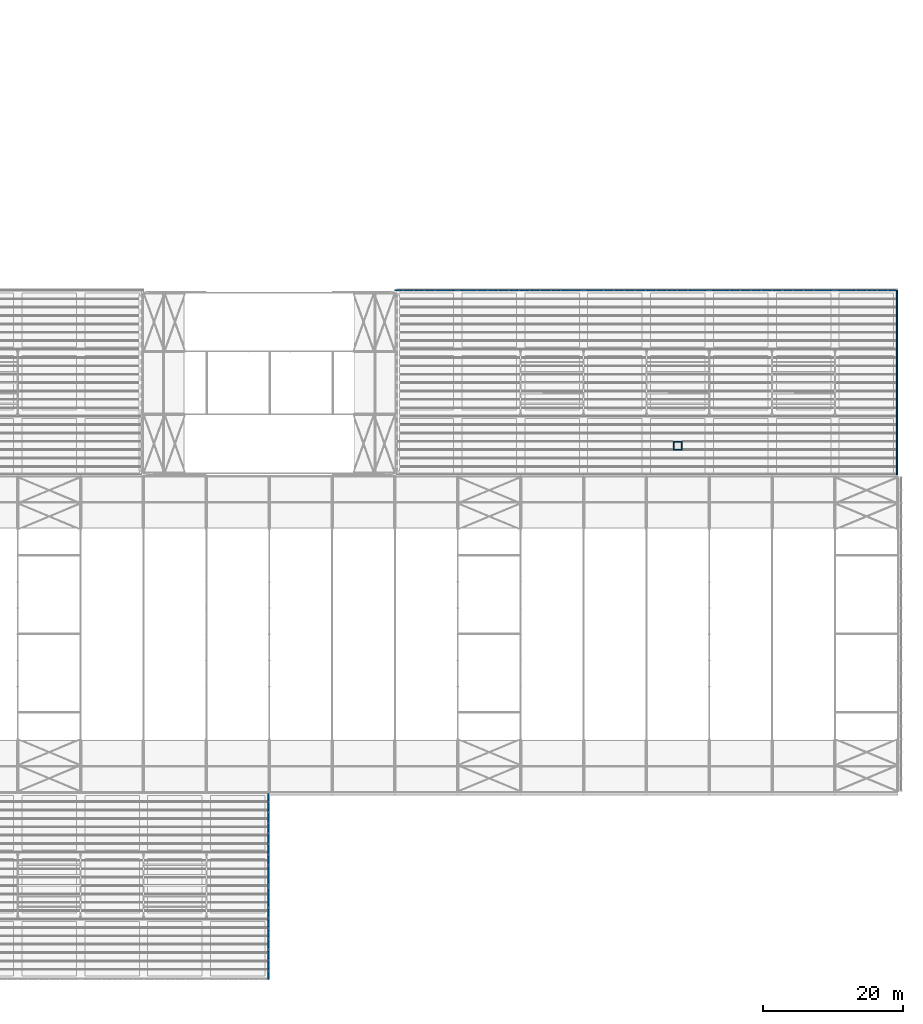
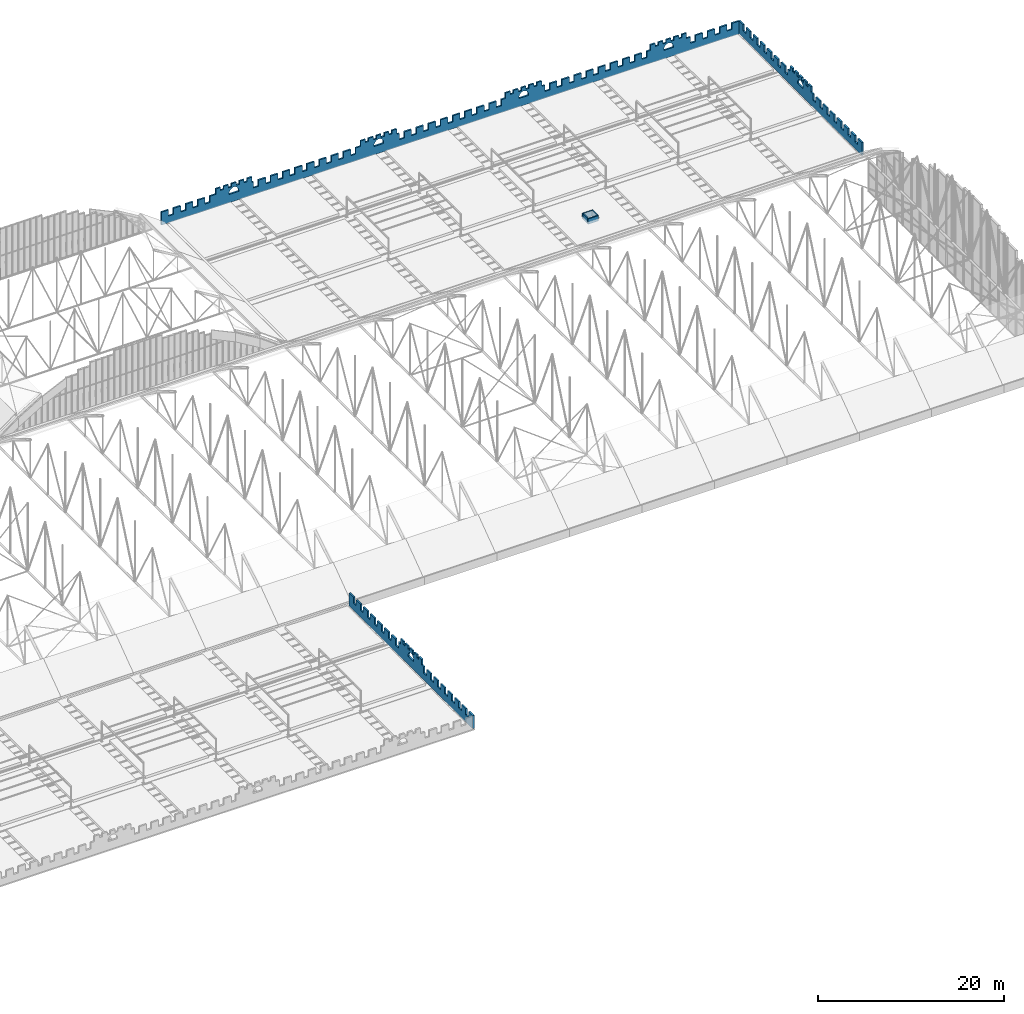
# One storey, part 112 of 153: 7 walls.
"""IFC4 building model written with IfcOpenShell, lengths in metres."""

import ifcopenshell
import ifcopenshell.guid

model = None  # the IFC model being written
_history = None  # IfcOwnerHistory: only IFC2X3 demands one
_inside = {}  # id of a spatial element -> (the spatial element, [elements in it])
_under = {}  # id of a project, library or spatial element -> (it, [spatial elements below it])
_declared = {}  # id of a project -> (the project, [libraries it declares])
_typed = {}  # id of a type object -> (the type object, [elements of that type])
_made_of = {}  # id of a material, layer set ... -> (it, [elements and type objects made of it])


def new_model(schema):
    """Start an empty IFC model of exactly this schema.

    Asked for "IFC4X3", IfcOpenShell would pick the latest addendum, in which some entities
    have other attributes; the version numbers below select the first issue.
    IFC2X3 requires an IfcOwnerHistory on every rooted entity: one is made here for all.
    """
    global model, _history
    if schema == "IFC4X3":
        model = ifcopenshell.file(schema_version=(4, 3, 0, 0))
    else:
        model = ifcopenshell.file(schema=schema)
    _inside.clear()
    _under.clear()
    _declared.clear()
    _typed.clear()
    _made_of.clear()
    _history = None
    if model.schema == "IFC2X3":
        org = make("IfcOrganization", Name="unknown")
        user = make(
            "IfcPersonAndOrganization",
            ThePerson=make("IfcPerson", FamilyName="unknown"),
            TheOrganization=org,
        )
        app = make(
            "IfcApplication",
            ApplicationDeveloper=org,
            Version="unknown",
            ApplicationFullName="unknown",
            ApplicationIdentifier="unknown",
        )
        _history = make(
            "IfcOwnerHistory",
            OwningUser=user,
            OwningApplication=app,
            ChangeAction="ADDED",
            CreationDate=0,
        )
    return model


def make(cls, **values):
    """One entity of the class cls with the attributes given. An attribute that is None is left unset."""
    return model.create_entity(
        cls, **{name: value for name, value in values.items() if value is not None}
    )


def rooted(cls, **values):
    """An entity with a GlobalId (a new one), such as an element, a storey or a relation."""
    return make(cls, GlobalId=ifcopenshell.guid.new(), OwnerHistory=_history, **values)


def si_unit(unit_type, name, prefix=None):
    """IfcSIUnit, for example si_unit("LENGTHUNIT", "METRE", prefix="MILLI")."""
    return make("IfcSIUnit", UnitType=unit_type, Prefix=prefix, Name=name)


def assignment(units):
    """IfcUnitAssignment: the units of a project."""
    return None if units is None else make("IfcUnitAssignment", Units=units)


def point(xyz):
    """IfcCartesianPoint."""
    return None if xyz is None else make("IfcCartesianPoint", Coordinates=xyz)


def direction(xyz):
    """IfcDirection."""
    return None if xyz is None else make("IfcDirection", DirectionRatios=xyz)


def frame(location, z_axis=None, x_axis=None):
    """IfcAxis2Placement3D, a coordinate frame: its origin and axes. An axis left out is left unset."""
    return make(
        "IfcAxis2Placement3D",
        Location=point(location),
        Axis=direction(z_axis),
        RefDirection=direction(x_axis),
    )


def frame_2d(location, x_axis=None):
    """IfcAxis2Placement2D, a coordinate frame in the plane: its origin and x axis."""
    return make(
        "IfcAxis2Placement2D", Location=point(location), RefDirection=direction(x_axis)
    )


def origin():
    """The frame at (0, 0, 0) with its axes left unset."""
    return frame((0.0, 0.0, 0.0))


def place(relative_to, where):
    """IfcLocalPlacement: puts the frame where relative to a parent placement (None: the world)."""
    return make(
        "IfcLocalPlacement", PlacementRelTo=relative_to, RelativePlacement=where
    )


def context(
    kind, dimensions, precision=None, world=None, true_north=None, identifier=None
):
    """IfcGeometricRepresentationContext, for example the 3D "Model" context."""
    return make(
        "IfcGeometricRepresentationContext",
        ContextIdentifier=identifier,
        ContextType=kind,
        CoordinateSpaceDimension=dimensions,
        Precision=precision,
        WorldCoordinateSystem=world,
        TrueNorth=true_north,
    )


def subcontext(parent, identifier, kind, view, scale=None):
    """IfcGeometricRepresentationSubContext, for example "Body" below "Model"."""
    return make(
        "IfcGeometricRepresentationSubContext",
        ContextIdentifier=identifier,
        ContextType=kind,
        ParentContext=parent,
        TargetScale=scale,
        TargetView=view,
    )


def project(units=None, contexts=None):
    """IfcProject with its units and contexts."""
    return rooted(
        "IfcProject",
        Name="project",
        RepresentationContexts=contexts,
        UnitsInContext=assignment(units),
    )


def spatial(cls, under=None, at=None, **own):
    """A site, building, storey or space (cls), placed at a placement, below another one or the project."""
    s = rooted(cls, ObjectPlacement=at, **own)
    if under is not None:
        _under.setdefault(under.id(), (under, []))[1].append(s)
    return s


def polyline(points):
    """IfcPolyline through the points."""
    return make("IfcPolyline", Points=[point(p) for p in points])


def profile(cls, at=None, kind="AREA", **sizes):
    """A parametric profile (cls). Its sizes go by their IFC names, for example OverallWidth=200.0."""
    return make(cls, ProfileType=kind, Position=at, **sizes)


def rectangle(**sizes):
    """IfcRectangleProfileDef."""
    return profile("IfcRectangleProfileDef", **sizes)


def outline(outer, holes=None, kind="AREA"):
    """IfcArbitraryClosedProfileDef: a profile drawn as a closed curve; with holes, ...WithVoids."""
    if holes is None:
        return make("IfcArbitraryClosedProfileDef", ProfileType=kind, OuterCurve=outer)
    return make(
        "IfcArbitraryProfileDefWithVoids",
        ProfileType=kind,
        OuterCurve=outer,
        InnerCurves=holes,
    )


def extrude(swept, where, along, depth):
    """IfcExtrudedAreaSolid: the profile swept, set in the frame where, extruded along a direction by depth."""
    return make(
        "IfcExtrudedAreaSolid",
        SweptArea=swept,
        Position=where,
        ExtrudedDirection=direction(along),
        Depth=depth,
    )


def shape(context_of_items, identifier, shape_type, items):
    """IfcShapeRepresentation: the items that make up one representation, for example the "Body"."""
    return make(
        "IfcShapeRepresentation",
        ContextOfItems=context_of_items,
        RepresentationIdentifier=identifier,
        RepresentationType=shape_type,
        Items=items,
    )


def material(Name=None, Category=None):
    """IfcMaterial."""
    return make("IfcMaterial", Name=Name, Category=Category)


def layer(
    of_material, thickness, ventilated=None, Name=None, Category=None, Priority=None
):
    """IfcMaterialLayer: one layer of a wall or slab, of a material (None: an air gap)."""
    return make(
        "IfcMaterialLayer",
        Material=of_material,
        LayerThickness=thickness,
        IsVentilated=ventilated,
        Name=Name,
        Category=Category,
        Priority=Priority,
    )


def layer_set(layers, Name=None):
    """IfcMaterialLayerSet."""
    return make("IfcMaterialLayerSet", MaterialLayers=layers, LayerSetName=Name)


def made_of(thing, what):
    """Note that an element or type object is made of a material, layer set ...; save() writes the relation."""
    if what is not None:
        _made_of.setdefault(what.id(), (what, []))[1].append(thing)
    return thing


def type_object(cls, material=None, **own):
    """A type object (cls), such as IfcWallType, which elements share."""
    return made_of(rooted(cls, **own), material)


def element(
    cls,
    number,
    at=None,
    inside=None,
    cuts=None,
    type_object=None,
    material=None,
    context=None,
    identifier="Body",
    shape_type=None,
    held_by="IfcProductDefinitionShape",
    body=None,
    shapes=None,
    **own,
):
    """One element of the class cls, such as IfcWall. Its Tag is "e" and its number.

    at: its placement. inside: the storey or other place that contains it. cuts: it is an
    opening in that element (IfcRelVoidsElement). A single representation is given by context,
    identifier, shape_type and body (its items); several are given by shapes. held_by: the class
    of the entity that holds the representations. save() writes the other relations.
    """
    e = rooted(cls, Tag="e%d" % number, ObjectPlacement=at, **own)
    if body is not None:
        shapes = [shape(context, identifier, shape_type, body)]
    if shapes is not None:
        e.Representation = make(held_by, Representations=shapes)
    if inside is not None:
        _inside.setdefault(inside.id(), (inside, []))[1].append(e)
    if cuts is not None:
        rooted(
            "IfcRelVoidsElement", RelatingBuildingElement=cuts, RelatedOpeningElement=e
        )
    if type_object is not None:
        _typed.setdefault(type_object.id(), (type_object, []))[1].append(e)
    return made_of(e, material)


def aggregate(whole, parts):
    """IfcRelAggregates: a whole, such as a stair, and the parts it consists of."""
    return rooted("IfcRelAggregates", RelatingObject=whole, RelatedObjects=parts)


def save(model, path):
    """Write the relations noted so far, then the file.

    IfcRelAggregates (storeys below a building ...), IfcRelContainedInSpatialStructure (elements
    in a storey), IfcRelDefinesByType, IfcRelAssociatesMaterial and IfcRelDeclares: one each for
    every whole, place, type object, material and project.
    """
    for whole, parts in _under.values():
        aggregate(whole, parts)
    for where, things in _inside.values():
        rooted(
            "IfcRelContainedInSpatialStructure",
            RelatedElements=things,
            RelatingStructure=where,
        )
    for kind, things in _typed.values():
        rooted("IfcRelDefinesByType", RelatedObjects=things, RelatingType=kind)
    for what, things in _made_of.values():
        rooted("IfcRelAssociatesMaterial", RelatedObjects=things, RelatingMaterial=what)
    for by, libraries in _declared.values():
        rooted("IfcRelDeclares", RelatingContext=by, RelatedDefinitions=libraries)
    model.write(path)


model = new_model("IFC4")

# Units and contexts
model_context = context("Model", 3, precision=1e-05, world=origin(), true_north=direction((0.0, 1.0)))
body_context = subcontext(model_context, "Body", "Model", "MODEL_VIEW")
ifc_project = project(units=[si_unit("LENGTHUNIT", "METRE"), si_unit("AREAUNIT", "SQUARE_METRE"), si_unit("VOLUMEUNIT", "CUBIC_METRE"), si_unit("PLANEANGLEUNIT", "RADIAN"), si_unit("MASSUNIT", "GRAM", prefix="KILO")], contexts=[model_context])

# Site, building, storey
site_placement = place(None, origin())
site = spatial("IfcSite", under=ifc_project, at=site_placement, CompositionType="ELEMENT")
building_placement = place(site_placement, origin())
building = spatial("IfcBuilding", under=site, at=building_placement, Name="Baradari Gate Terminus", CompositionType="ELEMENT")
storey_placement = place(building_placement, frame((0.0, 0.0, 11.699951171875)))
storey = spatial("IfcBuildingStorey", under=building, at=storey_placement, Name="L02", CompositionType="ELEMENT", Elevation=11.699951171875)

# Walls
ifc_material_1 = material(Name="Concrete C32/40 precast", Category="concrete")
ifc_layer_1 = layer(ifc_material_1, 0.199951171875)
ifc_layer_set_1 = layer_set([ifc_layer_1], Name="Concrete C32/40 precast")
wall_type_1 = type_object("IfcWallType", Name="Parapet PW-6 200x2400 wing crown", PredefinedType="PARAPET", material=ifc_layer_set_1)
wall_1_placement = place(storey_placement, frame((171.0, 107.75341796875, 0.0), z_axis=(0.0, 0.0, 1.0), x_axis=(1.0, 0.0, 0.0)))
element("IfcWall", 1, at=wall_1_placement, inside=storey, type_object=wall_type_1, Name="Head-house roof parapet PR-H1 2 1", PredefinedType="PARAPET", context=body_context, shape_type="SweptSolid", body=[
    extrude(outline(polyline([(24.127685546875, 1.699951171875), (24.127685546875, 0.900146484375), (23.519775390625, 0.900146484375), (23.519775390625, 1.699951171875), (22.61962890625, 1.699951171875), (22.61962890625, 0.900146484375), (22.01171875, 0.900146484375), (22.01171875, 1.699951171875), (21.11181640625, 1.699951171875), (21.11181640625, 0.900146484375), (20.503662109375, 0.900146484375), (20.503662109375, 1.699951171875), (19.603759765625, 1.699951171875), (19.603759765625, 0.900146484375), (18.99560546875, 0.900146484375), (18.99560546875, 1.699951171875), (18.095703125, 1.699951171875), (18.095703125, 0.900146484375), (17.48779296875, 0.900146484375), (17.48779296875, 1.699951171875), (16.587890625, 1.699951171875), (16.587890625, 0.900146484375), (15.979736328125, 0.900146484375), (15.979736328125, 1.699951171875), (15.079833984375, 1.699951171875), (15.079833984375, 0.900146484375), (14.4716796875, 0.900146484375), (14.4716796875, 1.699951171875), (13.57177734375, 1.699951171875), (13.57177734375, 0.900146484375), (12.9638671875, 0.900146484375), (12.9638671875, 1.699951171875), (12.063720703125, 1.699951171875), (12.063720703125, 0.900146484375), (11.455810546875, 0.900146484375), (11.455810546875, 1.699951171875), (11.25, 1.699951171875), (11.25, 2.400146484375), (10.64990234375, 2.400146484375), (10.64990234375, 2.0), (10.27490234375, 2.0), (10.27490234375, 2.400146484375), (9.675048828125, 2.400146484375), (9.675048828125, 2.0), (9.300048828125, 2.0), (9.300048828125, 2.400146484375), (8.699951171875, 2.400146484375), (8.699951171875, 2.0), (8.324951171875, 2.0), (8.324951171875, 2.400146484375), (7.72509765625, 2.400146484375), (7.72509765625, 2.0), (7.35009765625, 2.0), (7.35009765625, 2.400146484375), (6.75, 2.400146484375), (6.75, 1.699951171875), (6.031982421875, 1.699951171875), (6.031982421875, 0.900146484375), (5.423828125, 0.900146484375), (5.423828125, 1.699951171875), (4.52392578125, 1.699951171875), (4.52392578125, 0.900146484375), (3.916015625, 0.900146484375), (3.916015625, 1.699951171875), (3.01611328125, 1.699951171875), (3.01611328125, 0.900146484375), (2.407958984375, 0.900146484375), (2.407958984375, 1.699951171875), (1.508056640625, 1.699951171875), (1.508056640625, 0.900146484375), (0.89990234375, 0.900146484375), (0.89990234375, 1.699951171875), (0.0, 1.699951171875), (0.0, 0.0), (71.77490234375, 0.0), (71.77490234375, 1.699951171875), (70.875, 1.699951171875), (70.875, 0.900146484375), (70.26708984375, 0.900146484375), (70.26708984375, 1.699951171875), (69.366943359375, 1.699951171875), (69.366943359375, 0.900146484375), (68.759033203125, 0.900146484375), (68.759033203125, 1.699951171875), (67.85888671875, 1.699951171875), (67.85888671875, 0.900146484375), (67.251220703125, 0.900146484375), (67.251220703125, 1.699951171875), (66.35107421875, 1.699951171875), (66.35107421875, 0.900146484375), (65.7431640625, 0.900146484375), (65.7431640625, 1.699951171875), (65.25, 1.699951171875), (65.25, 2.400146484375), (64.64990234375, 2.400146484375), (64.64990234375, 2.0), (64.27490234375, 2.0), (64.27490234375, 2.400146484375), (63.675048828125, 2.400146484375), (63.675048828125, 2.0), (63.300048828125, 2.0), (63.300048828125, 2.400146484375), (62.699951171875, 2.400146484375), (62.699951171875, 2.0), (62.324951171875, 2.0), (62.324951171875, 2.400146484375), (61.72509765625, 2.400146484375), (61.72509765625, 2.0), (61.35009765625, 2.0), (61.35009765625, 2.400146484375), (60.75, 2.400146484375), (60.75, 1.699951171875), (60.319091796875, 1.699951171875), (60.319091796875, 0.900146484375), (59.711181640625, 0.900146484375), (59.711181640625, 1.699951171875), (58.811279296875, 1.699951171875), (58.811279296875, 0.900146484375), (58.203125, 0.900146484375), (58.203125, 1.699951171875), (57.30322265625, 1.699951171875), (57.30322265625, 0.900146484375), (56.6953125, 0.900146484375), (56.6953125, 1.699951171875), (55.795166015625, 1.699951171875), (55.795166015625, 0.900146484375), (55.187255859375, 0.900146484375), (55.187255859375, 1.699951171875), (54.287109375, 1.699951171875), (54.287109375, 0.900146484375), (53.67919921875, 0.900146484375), (53.67919921875, 1.699951171875), (52.779296875, 1.699951171875), (52.779296875, 0.900146484375), (52.17138671875, 0.900146484375), (52.17138671875, 1.699951171875), (51.271240234375, 1.699951171875), (51.271240234375, 0.900146484375), (50.663330078125, 0.900146484375), (50.663330078125, 1.699951171875), (49.76318359375, 1.699951171875), (49.76318359375, 0.900146484375), (49.1552734375, 0.900146484375), (49.1552734375, 1.699951171875), (48.25537109375, 1.699951171875), (48.25537109375, 0.900146484375), (47.647216796875, 0.900146484375), (47.647216796875, 1.699951171875), (47.25, 1.699951171875), (47.25, 2.400146484375), (46.64990234375, 2.400146484375), (46.64990234375, 2.0), (46.27490234375, 2.0), (46.27490234375, 2.400146484375), (45.675048828125, 2.400146484375), (45.675048828125, 2.0), (45.300048828125, 2.0), (45.300048828125, 2.400146484375), (44.699951171875, 2.400146484375), (44.699951171875, 2.0), (44.324951171875, 2.0), (44.324951171875, 2.400146484375), (43.72509765625, 2.400146484375), (43.72509765625, 2.0), (43.35009765625, 2.0), (43.35009765625, 2.400146484375), (42.75, 2.400146484375), (42.75, 1.699951171875), (42.223388671875, 1.699951171875), (42.223388671875, 0.900146484375), (41.615478515625, 0.900146484375), (41.615478515625, 1.699951171875), (40.71533203125, 1.699951171875), (40.71533203125, 0.900146484375), (40.107421875, 0.900146484375), (40.107421875, 1.699951171875), (39.20751953125, 1.699951171875), (39.20751953125, 0.900146484375), (38.599609375, 0.900146484375), (38.599609375, 1.699951171875), (37.699462890625, 1.699951171875), (37.699462890625, 0.900146484375), (37.091552734375, 0.900146484375), (37.091552734375, 1.699951171875), (36.19140625, 1.699951171875), (36.19140625, 0.900146484375), (35.58349609375, 0.900146484375), (35.58349609375, 1.699951171875), (34.68359375, 1.699951171875), (34.68359375, 0.900146484375), (34.075439453125, 0.900146484375), (34.075439453125, 1.699951171875), (33.175537109375, 1.699951171875), (33.175537109375, 0.900146484375), (32.567626953125, 0.900146484375), (32.567626953125, 1.699951171875), (31.66748046875, 1.699951171875), (31.66748046875, 0.900146484375), (31.0595703125, 0.900146484375), (31.0595703125, 1.699951171875), (30.15966796875, 1.699951171875), (30.15966796875, 0.900146484375), (29.551513671875, 0.900146484375), (29.551513671875, 1.699951171875), (29.25, 1.699951171875), (29.25, 2.400146484375), (28.64990234375, 2.400146484375), (28.64990234375, 2.0), (28.27490234375, 2.0), (28.27490234375, 2.400146484375), (27.675048828125, 2.400146484375), (27.675048828125, 2.0), (27.300048828125, 2.0), (27.300048828125, 2.400146484375), (26.699951171875, 2.400146484375), (26.699951171875, 2.0), (26.324951171875, 2.0), (26.324951171875, 2.400146484375), (25.72509765625, 2.400146484375), (25.72509765625, 2.0), (25.35009765625, 2.0), (25.35009765625, 2.400146484375), (24.75, 2.400146484375), (24.75, 1.699951171875), (24.127685546875, 1.699951171875)]), holes=[polyline([(8.40478515625, 1.283447265625), (8.419677734375, 1.365966796875), (8.444091796875, 1.44580078125), (8.4775390625, 1.5224609375), (8.52001953125, 1.594482421875), (8.570556640625, 1.6611328125), (8.628662109375, 1.72119140625), (8.693359375, 1.774169921875), (8.763916015625, 1.81884765625), (8.839111328125, 1.855224609375), (8.918212890625, 1.882568359375), (9.0, 1.900146484375), (9.081787109375, 1.882568359375), (9.160888671875, 1.855224609375), (9.236083984375, 1.81884765625), (9.306640625, 1.774169921875), (9.371337890625, 1.72119140625), (9.429443359375, 1.6611328125), (9.47998046875, 1.594482421875), (9.5224609375, 1.5224609375), (9.555908203125, 1.44580078125), (9.580322265625, 1.365966796875), (9.59521484375, 1.283447265625), (9.60009765625, 1.199951171875), (9.60009765625, 1.10009765625), (8.39990234375, 1.10009765625), (8.39990234375, 1.199951171875), (8.40478515625, 1.283447265625)]), polyline([(26.40478515625, 1.283447265625), (26.419677734375, 1.365966796875), (26.444091796875, 1.44580078125), (26.4775390625, 1.5224609375), (26.52001953125, 1.594482421875), (26.570556640625, 1.6611328125), (26.628662109375, 1.72119140625), (26.693359375, 1.774169921875), (26.763916015625, 1.81884765625), (26.839111328125, 1.855224609375), (26.918212890625, 1.882568359375), (27.0, 1.900146484375), (27.081787109375, 1.882568359375), (27.160888671875, 1.855224609375), (27.236083984375, 1.81884765625), (27.306640625, 1.774169921875), (27.371337890625, 1.72119140625), (27.429443359375, 1.6611328125), (27.47998046875, 1.594482421875), (27.5224609375, 1.5224609375), (27.555908203125, 1.44580078125), (27.580322265625, 1.365966796875), (27.59521484375, 1.283447265625), (27.60009765625, 1.199951171875), (27.60009765625, 1.10009765625), (26.39990234375, 1.10009765625), (26.39990234375, 1.199951171875), (26.40478515625, 1.283447265625)]), polyline([(44.40478515625, 1.283447265625), (44.419677734375, 1.365966796875), (44.444091796875, 1.44580078125), (44.4775390625, 1.5224609375), (44.52001953125, 1.594482421875), (44.570556640625, 1.6611328125), (44.628662109375, 1.72119140625), (44.693359375, 1.774169921875), (44.763916015625, 1.81884765625), (44.839111328125, 1.855224609375), (44.918212890625, 1.882568359375), (45.0, 1.900146484375), (45.081787109375, 1.882568359375), (45.160888671875, 1.855224609375), (45.236083984375, 1.81884765625), (45.306640625, 1.774169921875), (45.371337890625, 1.72119140625), (45.429443359375, 1.6611328125), (45.47998046875, 1.594482421875), (45.5224609375, 1.5224609375), (45.555908203125, 1.44580078125), (45.580322265625, 1.365966796875), (45.59521484375, 1.283447265625), (45.60009765625, 1.199951171875), (45.60009765625, 1.10009765625), (44.39990234375, 1.10009765625), (44.39990234375, 1.199951171875), (44.40478515625, 1.283447265625)]), polyline([(62.40478515625, 1.283447265625), (62.419677734375, 1.365966796875), (62.444091796875, 1.44580078125), (62.4775390625, 1.5224609375), (62.52001953125, 1.594482421875), (62.570556640625, 1.6611328125), (62.628662109375, 1.72119140625), (62.693359375, 1.774169921875), (62.763916015625, 1.81884765625), (62.839111328125, 1.855224609375), (62.918212890625, 1.882568359375), (63.0, 1.900146484375), (63.081787109375, 1.882568359375), (63.160888671875, 1.855224609375), (63.236083984375, 1.81884765625), (63.306640625, 1.774169921875), (63.371337890625, 1.72119140625), (63.429443359375, 1.6611328125), (63.47998046875, 1.594482421875), (63.5224609375, 1.5224609375), (63.555908203125, 1.44580078125), (63.580322265625, 1.365966796875), (63.59521484375, 1.283447265625), (63.60009765625, 1.199951171875), (63.60009765625, 1.10009765625), (62.39990234375, 1.10009765625), (62.39990234375, 1.199951171875), (62.40478515625, 1.283447265625)])]), frame((0.0, 0.10009765625, 0.0), z_axis=(0.0, -1.0, 0.0), x_axis=(1.0, 0.0, 0.0)), (0.0, 0.0, 1.0), 0.199951171875),
])
wall_2_placement = place(storey_placement, frame((242.875, 81.277099609375, 0.0), z_axis=(0.0, 0.0, 1.0), x_axis=(0.0, 1.0, 0.0)))
element("IfcWall", 2, at=wall_2_placement, inside=storey, type_object=wall_type_1, Name="Head-house roof parapet PR-H2 1 1", PredefinedType="PARAPET", context=body_context, shape_type="SweptSolid", body=[
    extrude(outline(polyline([(6.91796875, 0.900146484375), (6.91796875, 1.699951171875), (6.01806640625, 1.699951171875), (6.01806640625, 0.900146484375), (5.41357421875, 0.900146484375), (5.41357421875, 1.699951171875), (4.513427734375, 1.699951171875), (4.513427734375, 0.900146484375), (3.908935546875, 0.900146484375), (3.908935546875, 1.699951171875), (3.009033203125, 1.699951171875), (3.009033203125, 0.900146484375), (2.404541015625, 0.900146484375), (2.404541015625, 1.699951171875), (1.50439453125, 1.699951171875), (1.50439453125, 0.900146484375), (0.89990234375, 0.900146484375), (0.89990234375, 1.699951171875), (0.0, 1.699951171875), (0.0, 0.0), (26.476318359375, 0.0), (26.476318359375, 1.699951171875), (25.576416015625, 1.699951171875), (25.576416015625, 0.900146484375), (24.9716796875, 0.900146484375), (24.9716796875, 1.699951171875), (24.07177734375, 1.699951171875), (24.07177734375, 0.900146484375), (23.46728515625, 0.900146484375), (23.46728515625, 1.699951171875), (22.5673828125, 1.699951171875), (22.5673828125, 0.900146484375), (21.962890625, 0.900146484375), (21.962890625, 1.699951171875), (21.062744140625, 1.699951171875), (21.062744140625, 0.900146484375), (20.45849609375, 0.900146484375), (20.45849609375, 1.699951171875), (19.558349609375, 1.699951171875), (19.558349609375, 0.900146484375), (18.953857421875, 0.900146484375), (18.953857421875, 1.699951171875), (18.053955078125, 1.699951171875), (18.053955078125, 0.900146484375), (17.449462890625, 0.900146484375), (17.449462890625, 1.699951171875), (16.54931640625, 1.699951171875), (16.54931640625, 0.900146484375), (15.94482421875, 0.900146484375), (15.94482421875, 1.699951171875), (15.48828125, 1.699951171875), (15.48828125, 2.400146484375), (14.88818359375, 2.400146484375), (14.88818359375, 2.0), (14.51318359375, 2.0), (14.51318359375, 2.400146484375), (13.9130859375, 2.400146484375), (13.9130859375, 2.0), (13.5380859375, 2.0), (13.5380859375, 2.400146484375), (12.938232421875, 2.400146484375), (12.938232421875, 2.0), (12.563232421875, 2.0), (12.563232421875, 2.400146484375), (11.963134765625, 2.400146484375), (11.963134765625, 2.0), (11.588134765625, 2.0), (11.588134765625, 2.400146484375), (10.98828125, 2.400146484375), (10.98828125, 1.699951171875), (10.531494140625, 1.699951171875), (10.531494140625, 0.900146484375), (9.927001953125, 0.900146484375), (9.927001953125, 1.699951171875), (9.02685546875, 1.699951171875), (9.02685546875, 0.900146484375), (8.42236328125, 0.900146484375), (8.42236328125, 1.699951171875), (7.5224609375, 1.699951171875), (7.5224609375, 0.900146484375), (6.91796875, 0.900146484375)]), holes=[polyline([(12.63818359375, 1.10009765625), (12.63818359375, 1.199951171875), (12.64306640625, 1.283447265625), (12.65771484375, 1.365966796875), (12.68212890625, 1.44580078125), (12.7158203125, 1.5224609375), (12.758056640625, 1.594482421875), (12.80859375, 1.6611328125), (12.86669921875, 1.72119140625), (12.931396484375, 1.774169921875), (13.001953125, 1.81884765625), (13.077392578125, 1.855224609375), (13.156494140625, 1.882568359375), (13.23828125, 1.900146484375), (13.31982421875, 1.882568359375), (13.39892578125, 1.855224609375), (13.474365234375, 1.81884765625), (13.544921875, 1.774169921875), (13.609619140625, 1.72119140625), (13.66748046875, 1.6611328125), (13.71826171875, 1.594482421875), (13.760498046875, 1.5224609375), (13.794189453125, 1.44580078125), (13.818603515625, 1.365966796875), (13.833251953125, 1.283447265625), (13.838134765625, 1.199951171875), (13.838134765625, 1.10009765625), (12.63818359375, 1.10009765625)])]), frame((0.0, 0.10009765625, 0.0), z_axis=(0.0, -1.0, 0.0), x_axis=(1.0, 0.0, 0.0)), (0.0, 0.0, 1.0), 0.199951171875),
])
wall_3_placement = place(storey_placement, frame((152.875, 9.125, 0.0), z_axis=(0.0, 0.0, 1.0), x_axis=(0.0, 1.0, 0.0)))
element("IfcWall", 3, at=wall_3_placement, inside=storey, type_object=wall_type_1, Name="South wing roof parapet PR-S3 1 1", PredefinedType="PARAPET", context=body_context, shape_type="SweptSolid", body=[
    extrude(outline(polyline([(6.946533203125, 0.900146484375), (6.946533203125, 1.699951171875), (6.04638671875, 1.699951171875), (6.04638671875, 0.900146484375), (5.434814453125, 0.900146484375), (5.434814453125, 1.699951171875), (4.534912109375, 1.699951171875), (4.534912109375, 0.900146484375), (3.92333984375, 0.900146484375), (3.92333984375, 1.699951171875), (3.023193359375, 1.699951171875), (3.023193359375, 0.900146484375), (2.41162109375, 0.900146484375), (2.41162109375, 1.699951171875), (1.51171875, 1.699951171875), (1.51171875, 0.900146484375), (0.89990234375, 0.900146484375), (0.89990234375, 1.699951171875), (0.0, 1.699951171875), (0.0, 0.0), (26.597900390625, 0.0), (26.597900390625, 1.699951171875), (25.69775390625, 1.699951171875), (25.69775390625, 0.900146484375), (25.086181640625, 0.900146484375), (25.086181640625, 1.699951171875), (24.186279296875, 1.699951171875), (24.186279296875, 0.900146484375), (23.574462890625, 0.900146484375), (23.574462890625, 1.699951171875), (22.674560546875, 1.699951171875), (22.674560546875, 0.900146484375), (22.06298828125, 0.900146484375), (22.06298828125, 1.699951171875), (21.162841796875, 1.699951171875), (21.162841796875, 0.900146484375), (20.55126953125, 0.900146484375), (20.55126953125, 1.699951171875), (19.6513671875, 1.699951171875), (19.6513671875, 0.900146484375), (19.03955078125, 0.900146484375), (19.03955078125, 1.699951171875), (18.1396484375, 1.699951171875), (18.1396484375, 0.900146484375), (17.528076171875, 0.900146484375), (17.528076171875, 1.699951171875), (16.6279296875, 1.699951171875), (16.6279296875, 0.900146484375), (16.016357421875, 0.900146484375), (16.016357421875, 1.699951171875), (15.548828125, 1.699951171875), (15.548828125, 2.400146484375), (14.948974609375, 2.400146484375), (14.948974609375, 2.0), (14.573974609375, 2.0), (14.573974609375, 2.400146484375), (13.973876953125, 2.400146484375), (13.973876953125, 2.0), (13.598876953125, 2.0), (13.598876953125, 2.400146484375), (12.998779296875, 2.400146484375), (12.998779296875, 2.0), (12.623779296875, 2.0), (12.623779296875, 2.400146484375), (12.02392578125, 2.400146484375), (12.02392578125, 2.0), (11.64892578125, 2.0), (11.64892578125, 2.400146484375), (11.048828125, 2.400146484375), (11.048828125, 1.699951171875), (10.58154296875, 1.699951171875), (10.58154296875, 0.900146484375), (9.9697265625, 0.900146484375), (9.9697265625, 1.699951171875), (9.06982421875, 1.699951171875), (9.06982421875, 0.900146484375), (8.458251953125, 0.900146484375), (8.458251953125, 1.699951171875), (7.55810546875, 1.699951171875), (7.55810546875, 0.900146484375), (6.946533203125, 0.900146484375)]), holes=[polyline([(12.698974609375, 1.10009765625), (12.698974609375, 1.199951171875), (12.703857421875, 1.283447265625), (12.718505859375, 1.365966796875), (12.742919921875, 1.44580078125), (12.776611328125, 1.5224609375), (12.81884765625, 1.594482421875), (12.869384765625, 1.6611328125), (12.927490234375, 1.72119140625), (12.9921875, 1.774169921875), (13.062744140625, 1.81884765625), (13.13818359375, 1.855224609375), (13.21728515625, 1.882568359375), (13.298828125, 1.900146484375), (13.380615234375, 1.882568359375), (13.459716796875, 1.855224609375), (13.534912109375, 1.81884765625), (13.605712890625, 1.774169921875), (13.67041015625, 1.72119140625), (13.728515625, 1.6611328125), (13.779052734375, 1.594482421875), (13.8212890625, 1.5224609375), (13.85498046875, 1.44580078125), (13.879150390625, 1.365966796875), (13.89404296875, 1.283447265625), (13.89892578125, 1.199951171875), (13.89892578125, 1.10009765625), (12.698974609375, 1.10009765625)])]), frame((0.0, 0.10009765625, 0.0), z_axis=(0.0, -1.0, 0.0), x_axis=(1.0, 0.0, 0.0)), (0.0, 0.0, 1.0), 0.199951171875),
])
ifc_material_2 = material(Name="Concrete C25/30", Category="concrete")
ifc_layer_2 = layer(ifc_material_2, 0.14990234375)
ifc_layer_set_2 = layer_set([ifc_layer_2], Name="Concrete C25/30")
wall_type_2 = type_object("IfcWallType", Name="Roof hatch kerb HK-1 150", PredefinedType="PARAPET", material=ifc_layer_set_2)
wall_4_placement = place(storey_placement, frame((210.85009765625, 84.925048828125, 0.0), z_axis=(0.0, 0.0, 1.0), x_axis=(1.0, 0.0, 0.0)))
element("IfcWall", 4, at=wall_4_placement, inside=storey, type_object=wall_type_2, Name="Roof hatch kerb wall RH2", PredefinedType="PARAPET", context=body_context, shape_type="SweptSolid", body=[
    extrude(rectangle(XDim=1.2998046875, YDim=0.14990234375, at=frame_2d((0.64990234375, 0.0))), origin(), (0.0, 0.0, 1.0), 0.699951171875),
])
wall_5_placement = place(storey_placement, frame((212.074951171875, 85.0, 0.0), z_axis=(0.0, 0.0, 1.0), x_axis=(0.0, 1.0, 0.0)))
element("IfcWall", 5, at=wall_5_placement, inside=storey, type_object=wall_type_2, Name="Roof hatch kerb wall RH2", PredefinedType="PARAPET", context=body_context, shape_type="SweptSolid", body=[
    extrude(rectangle(XDim=1.0, YDim=0.14990234375, at=frame_2d((0.5, 0.0))), origin(), (0.0, 0.0, 1.0), 0.699951171875),
])
wall_6_placement = place(storey_placement, frame((212.14990234375, 86.074951171875, 0.0), z_axis=(0.0, 0.0, 1.0), x_axis=(-1.0, 0.0, 0.0)))
element("IfcWall", 6, at=wall_6_placement, inside=storey, type_object=wall_type_2, Name="Roof hatch kerb wall RH2", PredefinedType="PARAPET", context=body_context, shape_type="SweptSolid", body=[
    extrude(rectangle(XDim=1.2998046875, YDim=0.14990234375, at=frame_2d((0.64990234375, 0.0))), origin(), (0.0, 0.0, 1.0), 0.699951171875),
])
wall_7_placement = place(storey_placement, frame((210.925048828125, 86.0, 0.0), z_axis=(0.0, 0.0, 1.0), x_axis=(0.0, -1.0, 0.0)))
element("IfcWall", 7, at=wall_7_placement, inside=storey, type_object=wall_type_2, Name="Roof hatch kerb wall RH2", PredefinedType="PARAPET", context=body_context, shape_type="SweptSolid", body=[
    extrude(rectangle(XDim=1.0, YDim=0.14990234375, at=frame_2d((0.5, 0.0))), origin(), (0.0, 0.0, 1.0), 0.699951171875),
])

save(model, "model.ifc")
